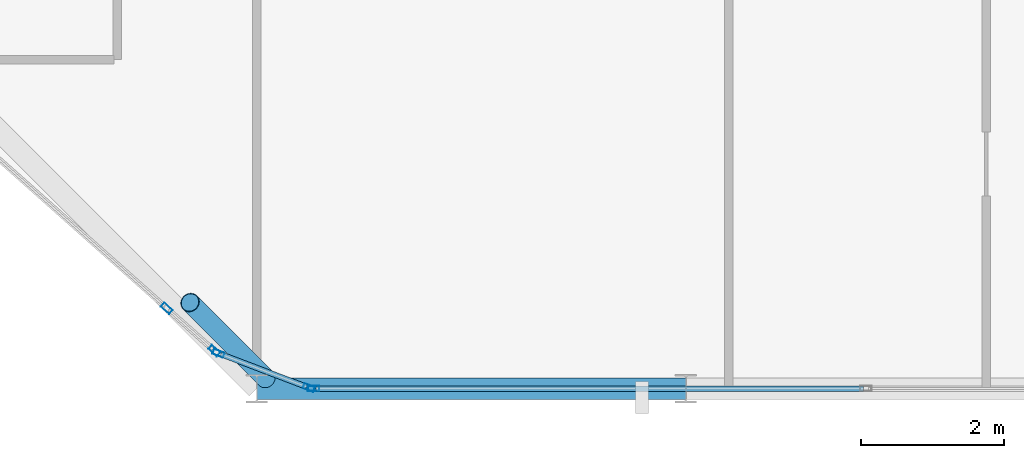
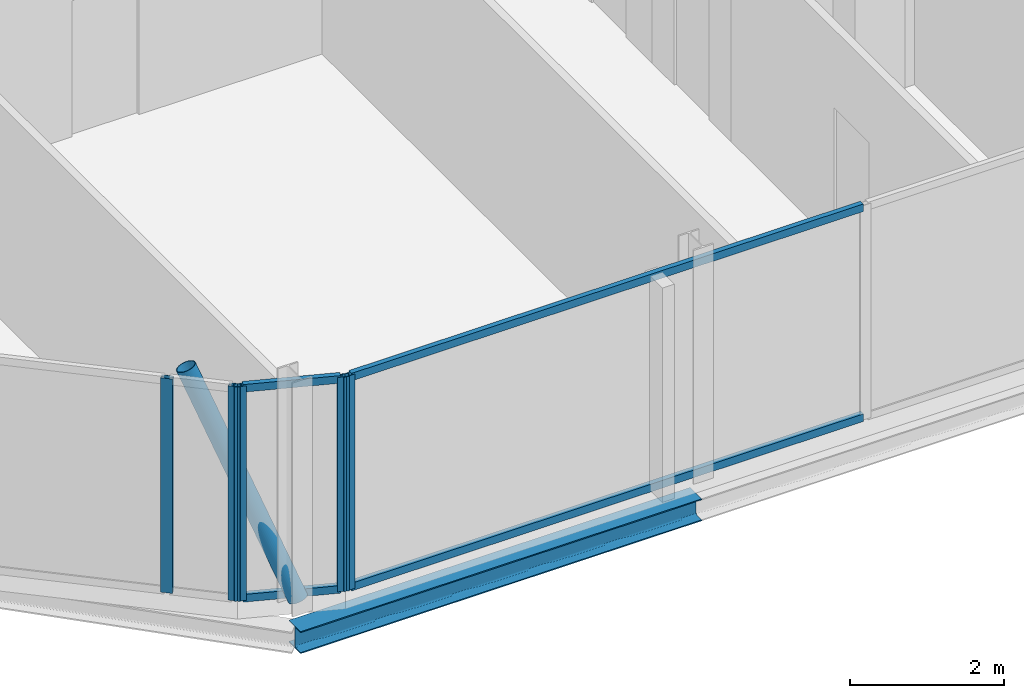
# One storey, part 6 of 30: 10 members, 1 beam, 3 elements without a shape of their own.
"""IFC4 building model written with IfcOpenShell, lengths in metres."""

from ifc_helpers import new_model, si_unit, direction, frame, origin, origin_2d, place, context, subcontext, project, spatial, hollow_rectangle, hollow_circle, i_section, extrude, material, layer, layer_set, material_profile, profile_set, type_object, element, aggregate, save


model = new_model("IFC4")

# Units and contexts
model_context = context("Model", 3, precision=1e-05, world=origin(), true_north=direction((0.0, 1.0)))
body_context = subcontext(model_context, "Body", "Model", "MODEL_VIEW")
ifc_project = project(units=[si_unit("LENGTHUNIT", "METRE"), si_unit("AREAUNIT", "SQUARE_METRE"), si_unit("VOLUMEUNIT", "CUBIC_METRE"), si_unit("PLANEANGLEUNIT", "RADIAN"), si_unit("MASSUNIT", "GRAM", prefix="KILO")], contexts=[model_context])

# Site, building, storey
site_placement = place(None, origin())
site = spatial("IfcSite", under=ifc_project, at=site_placement, CompositionType="ELEMENT")
building_placement = place(site_placement, origin())
building = spatial("IfcBuilding", under=site, at=building_placement, Name="Keshet Zoharim Tower", CompositionType="ELEMENT")
storey_placement = place(building_placement, frame((0.0, 0.0, 280.60009765625)))
storey = spatial("IfcBuildingStorey", under=building, at=storey_placement, Name="L70", CompositionType="ELEMENT", Elevation=280.60009765625)

# Beam
ifc_material_1 = material(Name="Steel S355", Category="steel")
ifc_material_profile_1 = material_profile(ifc_material_1, i_section(OverallWidth=0.300048828125, OverallDepth=0.35009765625, WebThickness=0.010009765625, FlangeThickness=0.017578125, FilletRadius=0.027099609375, at=origin_2d()), Name="HEA360")
ifc_profile_set_1 = profile_set([ifc_material_profile_1], Name="Steel S355")
beam_type = type_object("IfcBeamType", Name="BM-PRI-HA360", PredefinedType="BEAM", material=ifc_profile_set_1)
beam_placement = place(storey_placement, frame((21.0, 6.699951171875, -0.485107421875), z_axis=(1.0, 0.0, 0.0), x_axis=(0.0, 1.0, 0.0)))
element("IfcBeam", 1, at=beam_placement, inside=storey, type_object=beam_type, Name="L70 Primary Girder X-001", PredefinedType="BEAM", context=body_context, shape_type="SweptSolid", body=[
    extrude(i_section(OverallWidth=0.300048828125, OverallDepth=0.35009765625, WebThickness=0.010009765625, FlangeThickness=0.017578125, FilletRadius=0.027099609375, at=origin_2d()), origin(), (0.0, 0.0, 1.0), 6.0),
])

# Curtain wall, member
ifc_material_2 = material(Name="Aluminium 6063-T6", Category="aluminium")
ifc_layer = layer(ifc_material_2, 0.260009765625)
ifc_layer_set = layer_set([ifc_layer], Name="Aluminium 6063-T6")
curtain_wall_type = type_object("IfcCurtainWallType", Name="CW-SYS-06", PredefinedType="NOTDEFINED", material=ifc_layer_set)
curtain_wall_1_placement = place(storey_placement, origin())
curtain_wall_1 = element("IfcCurtainWall", 2, at=curtain_wall_1_placement, inside=storey, type_object=curtain_wall_type, Name="L70 Unitised Curtain Wall 14 Part 3", PredefinedType="NOTDEFINED")
ifc_material_profile_2 = material_profile(ifc_material_2, hollow_rectangle(XDim=0.074951171875, YDim=0.159912109375, WallThickness=0.00390625, at=origin_2d()), Name="MUL-75x160")
ifc_profile_set_2 = profile_set([ifc_material_profile_2], Name="Aluminium 6063-T6")
member_type_1 = type_object("IfcMemberType", Name="CWM-M15", PredefinedType="MULLION", material=ifc_profile_set_2)
member_1_placement = place(storey_placement, frame((21.794921875, 6.699951171875, 0.0), z_axis=(0.0, 0.0, 1.0), x_axis=(0.0, -1.0, 0.0)))
member_1 = element("IfcMember", 3, at=member_1_placement, type_object=member_type_1, Name="CW-06 mullion 3", PredefinedType="MULLION", context=body_context, shape_type="SweptSolid", body=[
    extrude(hollow_rectangle(XDim=0.074951171875, YDim=0.159912109375, WallThickness=0.00390625, at=origin_2d()), origin(), (0.0, 0.0, 1.0), 3.389892578125),
])

# Curtain wall, members
curtain_wall_2_placement = place(storey_placement, origin())
curtain_wall_2 = element("IfcCurtainWall", 4, at=curtain_wall_2_placement, inside=storey, type_object=curtain_wall_type, Name="L70 Unitised Curtain Wall 15", PredefinedType="NOTDEFINED")
member_2_placement = place(storey_placement, frame((21.727294921875, 6.71240234375, 0.0), z_axis=(0.0, 0.0, 1.0), x_axis=(-0.355439161326, -0.934699418314, 0.0)))
member_2 = element("IfcMember", 5, at=member_2_placement, type_object=member_type_1, Name="CW-06 mullion 1", PredefinedType="MULLION", context=body_context, shape_type="SweptSolid", body=[
    extrude(hollow_rectangle(XDim=0.074951171875, YDim=0.159912109375, WallThickness=0.00390625, at=origin_2d()), origin(), (0.0, 0.0, 1.0), 3.389892578125),
])
member_3_placement = place(storey_placement, frame((20.464599609375, 7.192626953125, 0.0), z_axis=(0.0, 0.0, 1.0), x_axis=(-0.355439161326, -0.934699418314, 0.0)))
member_3 = element("IfcMember", 6, at=member_3_placement, type_object=member_type_1, Name="CW-06 mullion 2", PredefinedType="MULLION", context=body_context, shape_type="SweptSolid", body=[
    extrude(hollow_rectangle(XDim=0.074951171875, YDim=0.159912109375, WallThickness=0.00390625, at=origin_2d()), origin(), (0.0, 0.0, 1.0), 3.389892578125),
])

curtain_wall_3_placement = place(storey_placement, origin())
curtain_wall_3 = element("IfcCurtainWall", 7, at=curtain_wall_3_placement, inside=storey, type_object=curtain_wall_type, Name="L70 Unitised Curtain Wall 16", PredefinedType="NOTDEFINED")
member_4_placement = place(storey_placement, frame((20.40576171875, 7.228271484375, 0.0), z_axis=(0.0, 0.0, 1.0), x_axis=(-0.664344500549, -0.747426507819, 0.0)))
member_4 = element("IfcMember", 8, at=member_4_placement, type_object=member_type_1, Name="CW-06 mullion 1", PredefinedType="MULLION", context=body_context, shape_type="SweptSolid", body=[
    extrude(hollow_rectangle(XDim=0.074951171875, YDim=0.159912109375, WallThickness=0.00390625, at=origin_2d()), origin(), (0.0, 0.0, 1.0), 3.389892578125),
])
member_5_placement = place(storey_placement, frame((19.738525390625, 7.821533203125, 0.0), z_axis=(0.0, 0.0, 1.0), x_axis=(-0.664344500549, -0.747426507819, 0.0)))
member_5 = element("IfcMember", 9, at=member_5_placement, type_object=member_type_1, Name="CW-06 mullion 2", PredefinedType="MULLION", context=body_context, shape_type="SweptSolid", body=[
    extrude(hollow_rectangle(XDim=0.074951171875, YDim=0.159912109375, WallThickness=0.00390625, at=origin_2d()), origin(), (0.0, 0.0, 1.0), 3.389892578125),
])
aggregate(curtain_wall_3, [member_4, member_5])

# Member
ifc_material_profile_3 = material_profile(ifc_material_2, hollow_rectangle(XDim=0.074951171875, YDim=0.1201171875, WallThickness=0.00390625, at=origin_2d()), Name="TRN-75x120")
ifc_profile_set_3 = profile_set([ifc_material_profile_3], Name="Aluminium 6063-T6")
member_type_2 = type_object("IfcMemberType", Name="CWT-T12", PredefinedType="USERDEFINED", material=ifc_profile_set_3)
member_6_placement = place(storey_placement, frame((29.482666015625, 6.699951171875, 0.034912109375), z_axis=(-1.0, 0.0, 0.0), x_axis=(0.0, -1.0, 0.0)))
member_6 = element("IfcMember", 10, at=member_6_placement, type_object=member_type_2, Name="CW-06 transom 2.1", ObjectType="TRANSOM", PredefinedType="USERDEFINED", context=body_context, shape_type="SweptSolid", body=[
    extrude(hollow_rectangle(XDim=0.074951171875, YDim=0.1201171875, WallThickness=0.00390625, at=origin_2d()), origin(), (0.0, 0.0, 1.0), 7.652587890625),
])

member_7_placement = place(storey_placement, frame((29.482666015625, 6.699951171875, 3.35498046875), z_axis=(-1.0, 0.0, 0.0), x_axis=(0.0, -1.0, 0.0)))
member_7 = element("IfcMember", 11, at=member_7_placement, type_object=member_type_2, Name="CW-06 transom 2.2", ObjectType="TRANSOM", PredefinedType="USERDEFINED", context=body_context, shape_type="SweptSolid", body=[
    extrude(hollow_rectangle(XDim=0.074951171875, YDim=0.1201171875, WallThickness=0.00390625, at=origin_2d()), origin(), (0.0, 0.0, 1.0), 7.652587890625),
])

aggregate(curtain_wall_1, [member_1, member_6, member_7])

member_8_placement = place(storey_placement, frame((21.694580078125, 6.724853515625, 0.034912109375), z_axis=(-0.934689881536, 0.355464239206, 0.0), x_axis=(-0.355464239206, -0.934689881536, 0.0)))
member_8 = element("IfcMember", 12, at=member_8_placement, type_object=member_type_2, Name="CW-06 transom 1.1", ObjectType="TRANSOM", PredefinedType="USERDEFINED", context=body_context, shape_type="SweptSolid", body=[
    extrude(hollow_rectangle(XDim=0.074951171875, YDim=0.1201171875, WallThickness=0.00390625, at=origin_2d()), origin(), (0.0, 0.0, 1.0), 1.281005859375),
])

member_9_placement = place(storey_placement, frame((21.694580078125, 6.724853515625, 3.35498046875), z_axis=(-0.934689881536, 0.355464239206, 0.0), x_axis=(-0.355464239206, -0.934689881536, 0.0)))
member_9 = element("IfcMember", 13, at=member_9_placement, type_object=member_type_2, Name="CW-06 transom 1.2", ObjectType="TRANSOM", PredefinedType="USERDEFINED", context=body_context, shape_type="SweptSolid", body=[
    extrude(hollow_rectangle(XDim=0.074951171875, YDim=0.1201171875, WallThickness=0.00390625, at=origin_2d()), origin(), (0.0, 0.0, 1.0), 1.281005859375),
])

aggregate(curtain_wall_2, [member_2, member_3, member_8, member_9])

ifc_material_profile_4 = material_profile(ifc_material_1, hollow_circle(Radius=0.136474609375, WallThickness=0.010009765625, at=origin_2d()), Name="CHS273x10")
ifc_profile_set_4 = profile_set([ifc_material_profile_4], Name="Steel S355")
member_type_3 = type_object("IfcMemberType", Name="MB-BR-C273", PredefinedType="BRACE", material=ifc_profile_set_4)
member_10_placement = place(storey_placement, frame((21.1259765625, 6.842041015625, 0.0), z_axis=(-0.286213152356, 0.286213152356, 0.914420069135), x_axis=(-0.707106781187, -0.707106781187, 0.0)))
element("IfcMember", 14, at=member_10_placement, inside=storey, type_object=member_type_3, Name="L70 Perimeter Tube Brace 02", PredefinedType="BRACE", context=body_context, shape_type="SweptSolid", body=[
    extrude(hollow_circle(Radius=0.136474609375, WallThickness=0.010009765625, at=origin_2d()), origin(), (0.0, 0.0, 1.0), 3.70703125),
])

save(model, "model.ifc")
